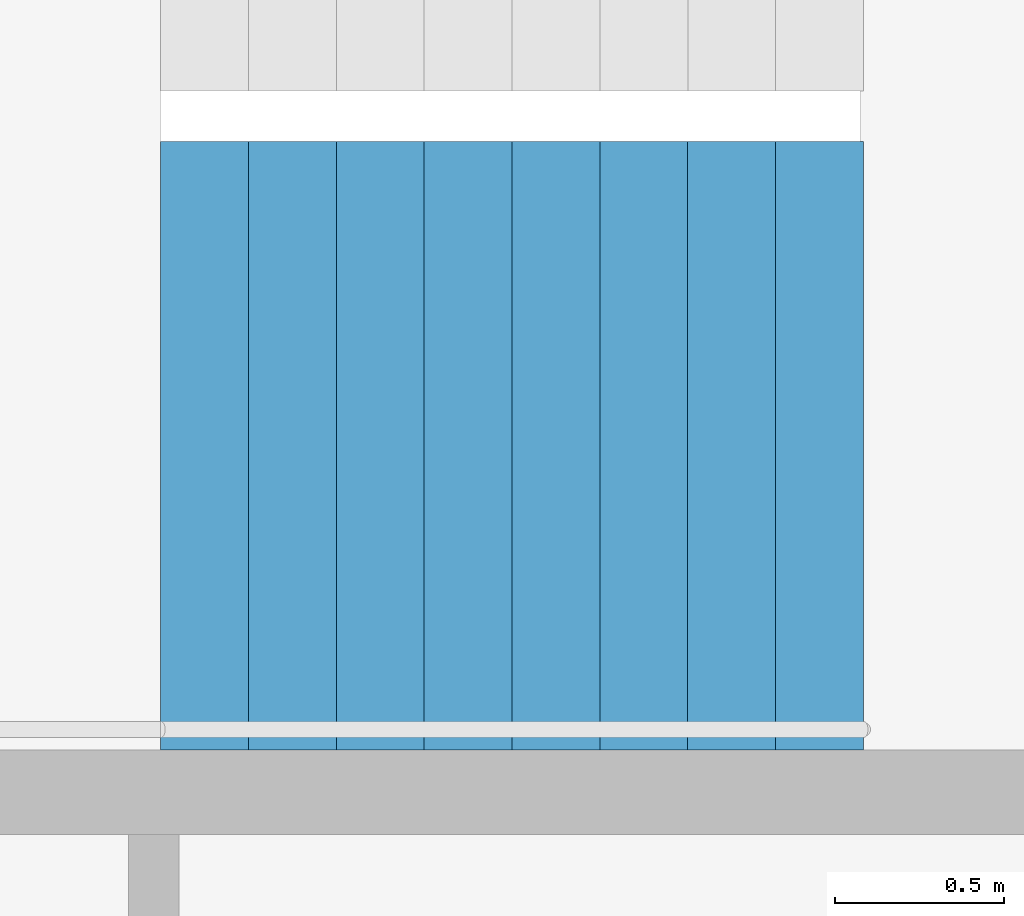
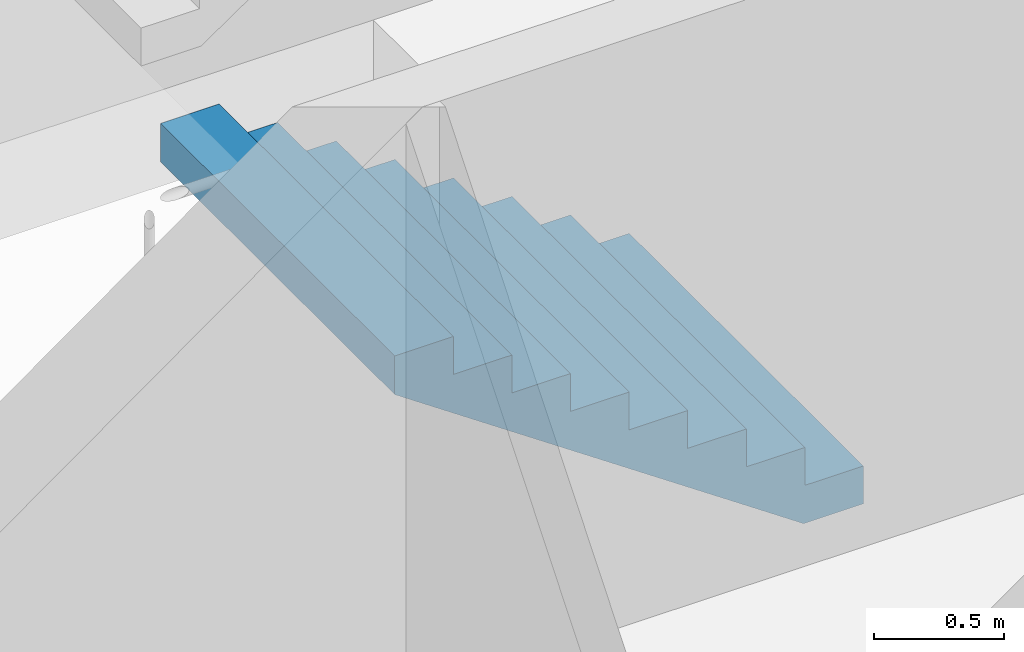
# One storey, part 23 of 25: 1 stair flight, 1 element without a shape of its own.
"""IFC4 building model written with IfcOpenShell, lengths in metres."""

from ifc_helpers import new_model, si_unit, direction, frame, origin, place, context, subcontext, project, spatial, triangles, material, type_object, element, aggregate, save


model = new_model("IFC4")

# Units and contexts
model_context = context("Model", 3, precision=1e-05, world=origin(), true_north=direction((0.0, 1.0)))
body_context = subcontext(model_context, "Body", "Model", "MODEL_VIEW")
ifc_project = project(units=[si_unit("LENGTHUNIT", "METRE"), si_unit("AREAUNIT", "SQUARE_METRE"), si_unit("VOLUMEUNIT", "CUBIC_METRE"), si_unit("PLANEANGLEUNIT", "RADIAN"), si_unit("MASSUNIT", "GRAM", prefix="KILO")], contexts=[model_context])

# Site, building, storey
site_placement = place(None, origin())
site = spatial("IfcSite", under=ifc_project, at=site_placement, CompositionType="ELEMENT")
building_placement = place(site_placement, origin())
building = spatial("IfcBuilding", under=site, at=building_placement, Name="Hakoniwa Tower and Hamabe Station Hall", CompositionType="ELEMENT")
storey_placement = place(building_placement, frame((0.0, 0.0, 186.60009765625)))
storey = spatial("IfcBuildingStorey", under=building, at=storey_placement, Name="L52", CompositionType="ELEMENT", Elevation=186.60009765625)

# Stair, stair flight
ifc_material_1 = material(Name="Concrete C40", Category="concrete")
stair_type = type_object("IfcStairType", Name="ESCAPE STAIR 1800", PredefinedType="HALF_TURN_STAIR", material=ifc_material_1)
stair_placement = place(storey_placement, origin())
stair = element("IfcStair", 1, at=stair_placement, inside=storey, type_object=stair_type, Name="Escape stair ST-3 L52", PredefinedType="HALF_TURN_STAIR")
ifc_material_2 = material(Name="Concrete C40", Category="concrete")
stair_flight_type = type_object("IfcStairFlightType", Name="STAIR FLIGHT 1800", PredefinedType="STRAIGHT", material=ifc_material_2)
stair_flight_placement = place(storey_placement, frame((24.39990234375, 4.64990234375, 0.0), z_axis=(0.0, 0.0, 1.0), x_axis=(-1.0, 0.0, 0.0)))
stair_flight = element("IfcStairFlight", 2, at=stair_flight_placement, type_object=stair_flight_type, Name="ST-3 flight 1", NumberOfRisers=9, NumberOfTreads=8, PredefinedType="STRAIGHT", RiserHeight=0.177777778, TreadLength=0.26, context=body_context, shape_type="Tessellation", body=[
    triangles([(0.0, 0.89990234375, 0.0), (0.260009765625, 0.89990234375, 0.0), (0.265625, 0.89990234375, 0.0), (0.52001953125, 0.89990234375, 0.174072265625), (0.780029296875, 0.89990234375, 0.351806640625), (1.0400390625, 0.89990234375, 0.529541015625), (1.300048828125, 0.89990234375, 0.707275390625), (1.56005859375, 0.89990234375, 0.885009765625), (1.820068359375, 0.89990234375, 1.062744140625), (2.080078125, 0.89990234375, 1.24072265625), (2.080078125, 0.89990234375, 1.422119140625), (1.820068359375, 0.89990234375, 1.422119140625), (1.820068359375, 0.89990234375, 1.244384765625), (1.56005859375, 0.89990234375, 1.244384765625), (1.56005859375, 0.89990234375, 1.066650390625), (1.300048828125, 0.89990234375, 1.066650390625), (1.300048828125, 0.89990234375, 0.888916015625), (1.0400390625, 0.89990234375, 0.888916015625), (1.0400390625, 0.89990234375, 0.711181640625), (0.780029296875, 0.89990234375, 0.711181640625), (0.780029296875, 0.89990234375, 0.533447265625), (0.52001953125, 0.89990234375, 0.533447265625), (0.52001953125, 0.89990234375, 0.35546875), (0.265625, 0.89990234375, 0.35546875), (0.260009765625, 0.89990234375, 0.35546875), (0.260009765625, 0.89990234375, 0.177734375), (0.0, 0.89990234375, 0.177734375), (0.0, 0.06005859375, 0.0), (0.260009765625, 0.06005859375, 0.0), (0.265625, 0.06005859375, 0.0), (0.52001953125, 0.06005859375, 0.174072265625), (0.780029296875, 0.06005859375, 0.351806640625), (1.0400390625, 0.06005859375, 0.529541015625), (1.300048828125, 0.06005859375, 0.707275390625), (1.56005859375, 0.06005859375, 0.885009765625), (1.820068359375, 0.06005859375, 1.062744140625), (2.080078125, 0.06005859375, 1.24072265625), (2.080078125, 0.06005859375, 1.422119140625), (1.820068359375, 0.06005859375, 1.422119140625), (1.820068359375, 0.06005859375, 1.244384765625), (1.56005859375, 0.06005859375, 1.244384765625), (1.56005859375, 0.06005859375, 1.066650390625), (1.300048828125, 0.06005859375, 1.066650390625), (1.300048828125, 0.06005859375, 0.888916015625), (1.0400390625, 0.06005859375, 0.888916015625), (1.0400390625, 0.06005859375, 0.711181640625), (0.780029296875, 0.06005859375, 0.711181640625), (0.780029296875, 0.06005859375, 0.533447265625), (0.52001953125, 0.06005859375, 0.533447265625), (0.52001953125, 0.06005859375, 0.35546875), (0.265625, 0.06005859375, 0.35546875), (0.260009765625, 0.06005859375, 0.35546875), (0.260009765625, 0.06005859375, 0.177734375), (0.0, 0.06005859375, 0.177734375), (0.0, 0.04296875, 0.0), (0.260009765625, 0.04296875, 0.0), (0.265625, 0.04296875, 0.0), (0.52001953125, 0.04296875, 0.174072265625), (0.780029296875, 0.04296875, 0.351806640625), (1.0400390625, 0.04296875, 0.529541015625), (1.300048828125, 0.04296875, 0.707275390625), (1.56005859375, 0.04296875, 0.885009765625), (1.820068359375, 0.04296875, 1.062744140625), (2.080078125, 0.04296875, 1.24072265625), (2.080078125, 0.04296875, 1.422119140625), (1.820068359375, 0.04296875, 1.422119140625), (1.820068359375, 0.04296875, 1.244384765625), (1.56005859375, 0.04296875, 1.244384765625), (1.56005859375, 0.04296875, 1.066650390625), (1.300048828125, 0.04296875, 1.066650390625), (1.300048828125, 0.04296875, 0.888916015625), (1.0400390625, 0.04296875, 0.888916015625), (1.0400390625, 0.04296875, 0.711181640625), (0.780029296875, 0.04296875, 0.711181640625), (0.780029296875, 0.04296875, 0.533447265625), (0.52001953125, 0.04296875, 0.533447265625), (0.52001953125, 0.04296875, 0.35546875), (0.265625, 0.04296875, 0.35546875), (0.260009765625, 0.04296875, 0.35546875), (0.260009765625, 0.04296875, 0.177734375), (0.0, 0.04296875, 0.177734375), (0.0, 0.025634765625, 0.0), (0.260009765625, 0.025634765625, 0.0), (0.265625, 0.025634765625, 0.0), (0.52001953125, 0.025634765625, 0.174072265625), (0.780029296875, 0.025634765625, 0.351806640625), (1.0400390625, 0.025634765625, 0.529541015625), (1.300048828125, 0.025634765625, 0.707275390625), (1.56005859375, 0.025634765625, 0.885009765625), (1.820068359375, 0.025634765625, 1.062744140625), (2.080078125, 0.025634765625, 1.24072265625), (2.080078125, 0.025634765625, 1.422119140625), (1.820068359375, 0.025634765625, 1.422119140625), (1.820068359375, 0.025634765625, 1.244384765625), (1.56005859375, 0.025634765625, 1.244384765625), (1.56005859375, 0.025634765625, 1.066650390625), (1.300048828125, 0.025634765625, 1.066650390625), (1.300048828125, 0.025634765625, 0.888916015625), (1.0400390625, 0.025634765625, 0.888916015625), (1.0400390625, 0.025634765625, 0.711181640625), (0.780029296875, 0.025634765625, 0.711181640625), (0.780029296875, 0.025634765625, 0.533447265625), (0.52001953125, 0.025634765625, 0.533447265625), (0.52001953125, 0.025634765625, 0.35546875), (0.265625, 0.025634765625, 0.35546875), (0.260009765625, 0.025634765625, 0.35546875), (0.260009765625, 0.025634765625, 0.177734375), (0.0, 0.025634765625, 0.177734375), (0.0, 0.008544921875, 0.0), (0.260009765625, 0.008544921875, 0.0), (0.265625, 0.008544921875, 0.0), (0.52001953125, 0.008544921875, 0.174072265625), (0.780029296875, 0.008544921875, 0.351806640625), (1.0400390625, 0.008544921875, 0.529541015625), (1.300048828125, 0.008544921875, 0.707275390625), (1.56005859375, 0.008544921875, 0.885009765625), (1.820068359375, 0.008544921875, 1.062744140625), (2.080078125, 0.008544921875, 1.24072265625), (2.080078125, 0.008544921875, 1.422119140625), (1.820068359375, 0.008544921875, 1.422119140625), (1.820068359375, 0.008544921875, 1.244384765625), (1.56005859375, 0.008544921875, 1.244384765625), (1.56005859375, 0.008544921875, 1.066650390625), (1.300048828125, 0.008544921875, 1.066650390625), (1.300048828125, 0.008544921875, 0.888916015625), (1.0400390625, 0.008544921875, 0.888916015625), (1.0400390625, 0.008544921875, 0.711181640625), (0.780029296875, 0.008544921875, 0.711181640625), (0.780029296875, 0.008544921875, 0.533447265625), (0.52001953125, 0.008544921875, 0.533447265625), (0.52001953125, 0.008544921875, 0.35546875), (0.265625, 0.008544921875, 0.35546875), (0.260009765625, 0.008544921875, 0.35546875), (0.260009765625, 0.008544921875, 0.177734375), (0.0, 0.008544921875, 0.177734375), (0.0, -0.008544921875, 0.0), (0.260009765625, -0.008544921875, 0.0), (0.265625, -0.008544921875, 0.0), (0.52001953125, -0.008544921875, 0.174072265625), (0.780029296875, -0.008544921875, 0.351806640625), (1.0400390625, -0.008544921875, 0.529541015625), (1.300048828125, -0.008544921875, 0.707275390625), (1.56005859375, -0.008544921875, 0.885009765625), (1.820068359375, -0.008544921875, 1.062744140625), (2.080078125, -0.008544921875, 1.24072265625), (2.080078125, -0.008544921875, 1.422119140625), (1.820068359375, -0.008544921875, 1.422119140625), (1.820068359375, -0.008544921875, 1.244384765625), (1.56005859375, -0.008544921875, 1.244384765625), (1.56005859375, -0.008544921875, 1.066650390625), (1.300048828125, -0.008544921875, 1.066650390625), (1.300048828125, -0.008544921875, 0.888916015625), (1.0400390625, -0.008544921875, 0.888916015625), (1.0400390625, -0.008544921875, 0.711181640625), (0.780029296875, -0.008544921875, 0.711181640625), (0.780029296875, -0.008544921875, 0.533447265625), (0.52001953125, -0.008544921875, 0.533447265625), (0.52001953125, -0.008544921875, 0.35546875), (0.265625, -0.008544921875, 0.35546875), (0.260009765625, -0.008544921875, 0.35546875), (0.260009765625, -0.008544921875, 0.177734375), (0.0, -0.008544921875, 0.177734375), (0.0, -0.025634765625, 0.0), (0.260009765625, -0.025634765625, 0.0), (0.265625, -0.025634765625, 0.0), (0.52001953125, -0.025634765625, 0.174072265625), (0.780029296875, -0.025634765625, 0.351806640625), (1.0400390625, -0.025634765625, 0.529541015625), (1.300048828125, -0.025634765625, 0.707275390625), (1.56005859375, -0.025634765625, 0.885009765625), (1.820068359375, -0.025634765625, 1.062744140625), (2.080078125, -0.025634765625, 1.24072265625), (2.080078125, -0.025634765625, 1.422119140625), (1.820068359375, -0.025634765625, 1.422119140625), (1.820068359375, -0.025634765625, 1.244384765625), (1.56005859375, -0.025634765625, 1.244384765625), (1.56005859375, -0.025634765625, 1.066650390625), (1.300048828125, -0.025634765625, 1.066650390625), (1.300048828125, -0.025634765625, 0.888916015625), (1.0400390625, -0.025634765625, 0.888916015625), (1.0400390625, -0.025634765625, 0.711181640625), (0.780029296875, -0.025634765625, 0.711181640625), (0.780029296875, -0.025634765625, 0.533447265625), (0.52001953125, -0.025634765625, 0.533447265625), (0.52001953125, -0.025634765625, 0.35546875), (0.265625, -0.025634765625, 0.35546875), (0.260009765625, -0.025634765625, 0.35546875), (0.260009765625, -0.025634765625, 0.177734375), (0.0, -0.025634765625, 0.177734375), (0.0, -0.04296875, 0.0), (0.260009765625, -0.04296875, 0.0), (0.265625, -0.04296875, 0.0), (0.52001953125, -0.04296875, 0.174072265625), (0.780029296875, -0.04296875, 0.351806640625), (1.0400390625, -0.04296875, 0.529541015625), (1.300048828125, -0.04296875, 0.707275390625), (1.56005859375, -0.04296875, 0.885009765625), (1.820068359375, -0.04296875, 1.062744140625), (2.080078125, -0.04296875, 1.24072265625), (2.080078125, -0.04296875, 1.422119140625), (1.820068359375, -0.04296875, 1.422119140625), (1.820068359375, -0.04296875, 1.244384765625), (1.56005859375, -0.04296875, 1.244384765625), (1.56005859375, -0.04296875, 1.066650390625), (1.300048828125, -0.04296875, 1.066650390625), (1.300048828125, -0.04296875, 0.888916015625), (1.0400390625, -0.04296875, 0.888916015625), (1.0400390625, -0.04296875, 0.711181640625), (0.780029296875, -0.04296875, 0.711181640625), (0.780029296875, -0.04296875, 0.533447265625), (0.52001953125, -0.04296875, 0.533447265625), (0.52001953125, -0.04296875, 0.35546875), (0.265625, -0.04296875, 0.35546875), (0.260009765625, -0.04296875, 0.35546875), (0.260009765625, -0.04296875, 0.177734375), (0.0, -0.04296875, 0.177734375), (0.0, -0.06005859375, 0.0), (0.260009765625, -0.06005859375, 0.0), (0.265625, -0.06005859375, 0.0), (0.52001953125, -0.06005859375, 0.174072265625), (0.780029296875, -0.06005859375, 0.351806640625), (1.0400390625, -0.06005859375, 0.529541015625), (1.300048828125, -0.06005859375, 0.707275390625), (1.56005859375, -0.06005859375, 0.885009765625), (1.820068359375, -0.06005859375, 1.062744140625), (2.080078125, -0.06005859375, 1.24072265625), (2.080078125, -0.06005859375, 1.422119140625), (1.820068359375, -0.06005859375, 1.422119140625), (1.820068359375, -0.06005859375, 1.244384765625), (1.56005859375, -0.06005859375, 1.244384765625), (1.56005859375, -0.06005859375, 1.066650390625), (1.300048828125, -0.06005859375, 1.066650390625), (1.300048828125, -0.06005859375, 0.888916015625), (1.0400390625, -0.06005859375, 0.888916015625), (1.0400390625, -0.06005859375, 0.711181640625), (0.780029296875, -0.06005859375, 0.711181640625), (0.780029296875, -0.06005859375, 0.533447265625), (0.52001953125, -0.06005859375, 0.533447265625), (0.52001953125, -0.06005859375, 0.35546875), (0.265625, -0.06005859375, 0.35546875), (0.260009765625, -0.06005859375, 0.35546875), (0.260009765625, -0.06005859375, 0.177734375), (0.0, -0.06005859375, 0.177734375), (0.0, -0.89990234375, 0.0), (0.260009765625, -0.89990234375, 0.0), (0.265625, -0.89990234375, 0.0), (0.52001953125, -0.89990234375, 0.174072265625), (0.780029296875, -0.89990234375, 0.351806640625), (1.0400390625, -0.89990234375, 0.529541015625), (1.300048828125, -0.89990234375, 0.707275390625), (1.56005859375, -0.89990234375, 0.885009765625), (1.820068359375, -0.89990234375, 1.062744140625), (2.080078125, -0.89990234375, 1.24072265625), (2.080078125, -0.89990234375, 1.422119140625), (1.820068359375, -0.89990234375, 1.422119140625), (1.820068359375, -0.89990234375, 1.244384765625), (1.56005859375, -0.89990234375, 1.244384765625), (1.56005859375, -0.89990234375, 1.066650390625), (1.300048828125, -0.89990234375, 1.066650390625), (1.300048828125, -0.89990234375, 0.888916015625), (1.0400390625, -0.89990234375, 0.888916015625), (1.0400390625, -0.89990234375, 0.711181640625), (0.780029296875, -0.89990234375, 0.711181640625), (0.780029296875, -0.89990234375, 0.533447265625), (0.52001953125, -0.89990234375, 0.533447265625), (0.52001953125, -0.89990234375, 0.35546875), (0.265625, -0.89990234375, 0.35546875), (0.260009765625, -0.89990234375, 0.35546875), (0.260009765625, -0.89990234375, 0.177734375), (0.0, -0.89990234375, 0.177734375)], [[2, 27, 26], [245, 269, 270], [2, 1, 27], [245, 270, 244], [3, 25, 24], [246, 267, 268], [3, 26, 25], [246, 268, 269], [3, 2, 26], [246, 269, 245], [4, 24, 23], [247, 266, 267], [4, 3, 24], [247, 267, 246], [5, 22, 21], [248, 264, 265], [5, 23, 22], [248, 265, 266], [5, 4, 23], [248, 266, 247], [6, 20, 19], [249, 262, 263], [6, 21, 20], [249, 263, 264], [6, 5, 21], [249, 264, 248], [7, 18, 17], [250, 260, 261], [7, 19, 18], [250, 261, 262], [7, 6, 19], [250, 262, 249], [8, 16, 15], [251, 258, 259], [8, 17, 16], [251, 259, 260], [8, 7, 17], [251, 260, 250], [9, 14, 13], [252, 256, 257], [9, 15, 14], [252, 257, 258], [9, 8, 15], [252, 258, 251], [10, 12, 11], [253, 254, 255], [10, 13, 12], [253, 255, 256], [10, 9, 13], [253, 256, 252], [1, 2, 29], [1, 29, 28], [28, 29, 56], [28, 56, 55], [55, 56, 83], [55, 83, 82], [82, 83, 110], [82, 110, 109], [109, 110, 137], [109, 137, 136], [136, 137, 164], [136, 164, 163], [163, 164, 191], [163, 191, 190], [190, 191, 218], [190, 218, 217], [217, 218, 245], [217, 245, 244], [2, 3, 30], [2, 30, 29], [29, 30, 57], [29, 57, 56], [56, 57, 84], [56, 84, 83], [83, 84, 111], [83, 111, 110], [110, 111, 138], [110, 138, 137], [137, 138, 165], [137, 165, 164], [164, 165, 192], [164, 192, 191], [191, 192, 219], [191, 219, 218], [218, 219, 246], [218, 246, 245], [3, 4, 31], [3, 31, 30], [30, 31, 58], [30, 58, 57], [57, 58, 85], [57, 85, 84], [84, 85, 112], [84, 112, 111], [111, 112, 139], [111, 139, 138], [138, 139, 166], [138, 166, 165], [165, 166, 193], [165, 193, 192], [192, 193, 220], [192, 220, 219], [219, 220, 247], [219, 247, 246], [4, 5, 32], [4, 32, 31], [31, 32, 59], [31, 59, 58], [58, 59, 86], [58, 86, 85], [85, 86, 113], [85, 113, 112], [112, 113, 140], [112, 140, 139], [139, 140, 167], [139, 167, 166], [166, 167, 194], [166, 194, 193], [193, 194, 221], [193, 221, 220], [220, 221, 248], [220, 248, 247], [5, 6, 33], [5, 33, 32], [32, 33, 60], [32, 60, 59], [59, 60, 87], [59, 87, 86], [86, 87, 114], [86, 114, 113], [113, 114, 141], [113, 141, 140], [140, 141, 168], [140, 168, 167], [167, 168, 195], [167, 195, 194], [194, 195, 222], [194, 222, 221], [221, 222, 249], [221, 249, 248], [6, 7, 34], [6, 34, 33], [33, 34, 61], [33, 61, 60], [60, 61, 88], [60, 88, 87], [87, 88, 115], [87, 115, 114], [114, 115, 142], [114, 142, 141], [141, 142, 169], [141, 169, 168], [168, 169, 196], [168, 196, 195], [195, 196, 223], [195, 223, 222], [222, 223, 250], [222, 250, 249], [7, 8, 35], [7, 35, 34], [34, 35, 62], [34, 62, 61], [61, 62, 89], [61, 89, 88], [88, 89, 116], [88, 116, 115], [115, 116, 143], [115, 143, 142], [142, 143, 170], [142, 170, 169], [169, 170, 197], [169, 197, 196], [196, 197, 224], [196, 224, 223], [223, 224, 251], [223, 251, 250], [8, 9, 36], [8, 36, 35], [35, 36, 63], [35, 63, 62], [62, 63, 90], [62, 90, 89], [89, 90, 117], [89, 117, 116], [116, 117, 144], [116, 144, 143], [143, 144, 171], [143, 171, 170], [170, 171, 198], [170, 198, 197], [197, 198, 225], [197, 225, 224], [224, 225, 252], [224, 252, 251], [9, 10, 37], [9, 37, 36], [36, 37, 64], [36, 64, 63], [63, 64, 91], [63, 91, 90], [90, 91, 118], [90, 118, 117], [117, 118, 145], [117, 145, 144], [144, 145, 172], [144, 172, 171], [171, 172, 199], [171, 199, 198], [198, 199, 226], [198, 226, 225], [225, 226, 253], [225, 253, 252], [10, 11, 38], [10, 38, 37], [37, 38, 65], [37, 65, 64], [64, 65, 92], [64, 92, 91], [91, 92, 119], [91, 119, 118], [118, 119, 146], [118, 146, 145], [145, 146, 173], [145, 173, 172], [172, 173, 200], [172, 200, 199], [199, 200, 227], [199, 227, 226], [226, 227, 254], [226, 254, 253], [11, 12, 39], [11, 39, 38], [38, 39, 66], [38, 66, 65], [65, 66, 93], [65, 93, 92], [92, 93, 120], [92, 120, 119], [119, 120, 147], [119, 147, 146], [146, 147, 174], [146, 174, 173], [173, 174, 201], [173, 201, 200], [200, 201, 228], [200, 228, 227], [227, 228, 255], [227, 255, 254], [12, 13, 40], [12, 40, 39], [39, 40, 67], [39, 67, 66], [66, 67, 94], [66, 94, 93], [93, 94, 121], [93, 121, 120], [120, 121, 148], [120, 148, 147], [147, 148, 175], [147, 175, 174], [174, 175, 202], [174, 202, 201], [201, 202, 229], [201, 229, 228], [228, 229, 256], [228, 256, 255], [13, 14, 41], [13, 41, 40], [40, 41, 68], [40, 68, 67], [67, 68, 95], [67, 95, 94], [94, 95, 122], [94, 122, 121], [121, 122, 149], [121, 149, 148], [148, 149, 176], [148, 176, 175], [175, 176, 203], [175, 203, 202], [202, 203, 230], [202, 230, 229], [229, 230, 257], [229, 257, 256], [14, 15, 42], [14, 42, 41], [41, 42, 69], [41, 69, 68], [68, 69, 96], [68, 96, 95], [95, 96, 123], [95, 123, 122], [122, 123, 150], [122, 150, 149], [149, 150, 177], [149, 177, 176], [176, 177, 204], [176, 204, 203], [203, 204, 231], [203, 231, 230], [230, 231, 258], [230, 258, 257], [15, 16, 43], [15, 43, 42], [42, 43, 70], [42, 70, 69], [69, 70, 97], [69, 97, 96], [96, 97, 124], [96, 124, 123], [123, 124, 151], [123, 151, 150], [150, 151, 178], [150, 178, 177], [177, 178, 205], [177, 205, 204], [204, 205, 232], [204, 232, 231], [231, 232, 259], [231, 259, 258], [16, 17, 44], [16, 44, 43], [43, 44, 71], [43, 71, 70], [70, 71, 98], [70, 98, 97], [97, 98, 125], [97, 125, 124], [124, 125, 152], [124, 152, 151], [151, 152, 179], [151, 179, 178], [178, 179, 206], [178, 206, 205], [205, 206, 233], [205, 233, 232], [232, 233, 260], [232, 260, 259], [17, 18, 45], [17, 45, 44], [44, 45, 72], [44, 72, 71], [71, 72, 99], [71, 99, 98], [98, 99, 126], [98, 126, 125], [125, 126, 153], [125, 153, 152], [152, 153, 180], [152, 180, 179], [179, 180, 207], [179, 207, 206], [206, 207, 234], [206, 234, 233], [233, 234, 261], [233, 261, 260], [18, 19, 46], [18, 46, 45], [45, 46, 73], [45, 73, 72], [72, 73, 100], [72, 100, 99], [99, 100, 127], [99, 127, 126], [126, 127, 154], [126, 154, 153], [153, 154, 181], [153, 181, 180], [180, 181, 208], [180, 208, 207], [207, 208, 235], [207, 235, 234], [234, 235, 262], [234, 262, 261], [19, 20, 47], [19, 47, 46], [46, 47, 74], [46, 74, 73], [73, 74, 101], [73, 101, 100], [100, 101, 128], [100, 128, 127], [127, 128, 155], [127, 155, 154], [154, 155, 182], [154, 182, 181], [181, 182, 209], [181, 209, 208], [208, 209, 236], [208, 236, 235], [235, 236, 263], [235, 263, 262], [20, 21, 48], [20, 48, 47], [47, 48, 75], [47, 75, 74], [74, 75, 102], [74, 102, 101], [101, 102, 129], [101, 129, 128], [128, 129, 156], [128, 156, 155], [155, 156, 183], [155, 183, 182], [182, 183, 210], [182, 210, 209], [209, 210, 237], [209, 237, 236], [236, 237, 264], [236, 264, 263], [21, 22, 49], [21, 49, 48], [48, 49, 76], [48, 76, 75], [75, 76, 103], [75, 103, 102], [102, 103, 130], [102, 130, 129], [129, 130, 157], [129, 157, 156], [156, 157, 184], [156, 184, 183], [183, 184, 211], [183, 211, 210], [210, 211, 238], [210, 238, 237], [237, 238, 265], [237, 265, 264], [22, 23, 50], [22, 50, 49], [49, 50, 77], [49, 77, 76], [76, 77, 104], [76, 104, 103], [103, 104, 131], [103, 131, 130], [130, 131, 158], [130, 158, 157], [157, 158, 185], [157, 185, 184], [184, 185, 212], [184, 212, 211], [211, 212, 239], [211, 239, 238], [238, 239, 266], [238, 266, 265], [23, 24, 51], [23, 51, 50], [50, 51, 78], [50, 78, 77], [77, 78, 105], [77, 105, 104], [104, 105, 132], [104, 132, 131], [131, 132, 159], [131, 159, 158], [158, 159, 186], [158, 186, 185], [185, 186, 213], [185, 213, 212], [212, 213, 240], [212, 240, 239], [239, 240, 267], [239, 267, 266], [24, 25, 52], [24, 52, 51], [51, 52, 79], [51, 79, 78], [78, 79, 106], [78, 106, 105], [105, 106, 133], [105, 133, 132], [132, 133, 160], [132, 160, 159], [159, 160, 187], [159, 187, 186], [186, 187, 214], [186, 214, 213], [213, 214, 241], [213, 241, 240], [240, 241, 268], [240, 268, 267], [25, 26, 53], [25, 53, 52], [52, 53, 80], [52, 80, 79], [79, 80, 107], [79, 107, 106], [106, 107, 134], [106, 134, 133], [133, 134, 161], [133, 161, 160], [160, 161, 188], [160, 188, 187], [187, 188, 215], [187, 215, 214], [214, 215, 242], [214, 242, 241], [241, 242, 269], [241, 269, 268], [26, 27, 54], [26, 54, 53], [53, 54, 81], [53, 81, 80], [80, 81, 108], [80, 108, 107], [107, 108, 135], [107, 135, 134], [134, 135, 162], [134, 162, 161], [161, 162, 189], [161, 189, 188], [188, 189, 216], [188, 216, 215], [215, 216, 243], [215, 243, 242], [242, 243, 270], [242, 270, 269], [27, 1, 28], [27, 28, 54], [54, 28, 55], [54, 55, 81], [81, 55, 82], [81, 82, 108], [108, 82, 109], [108, 109, 135], [135, 109, 136], [135, 136, 162], [162, 136, 163], [162, 163, 189], [189, 163, 190], [189, 190, 216], [216, 190, 217], [216, 217, 243], [243, 217, 244], [243, 244, 270]], closed=True),
])
aggregate(stair, [stair_flight])

save(model, "model.ifc")
